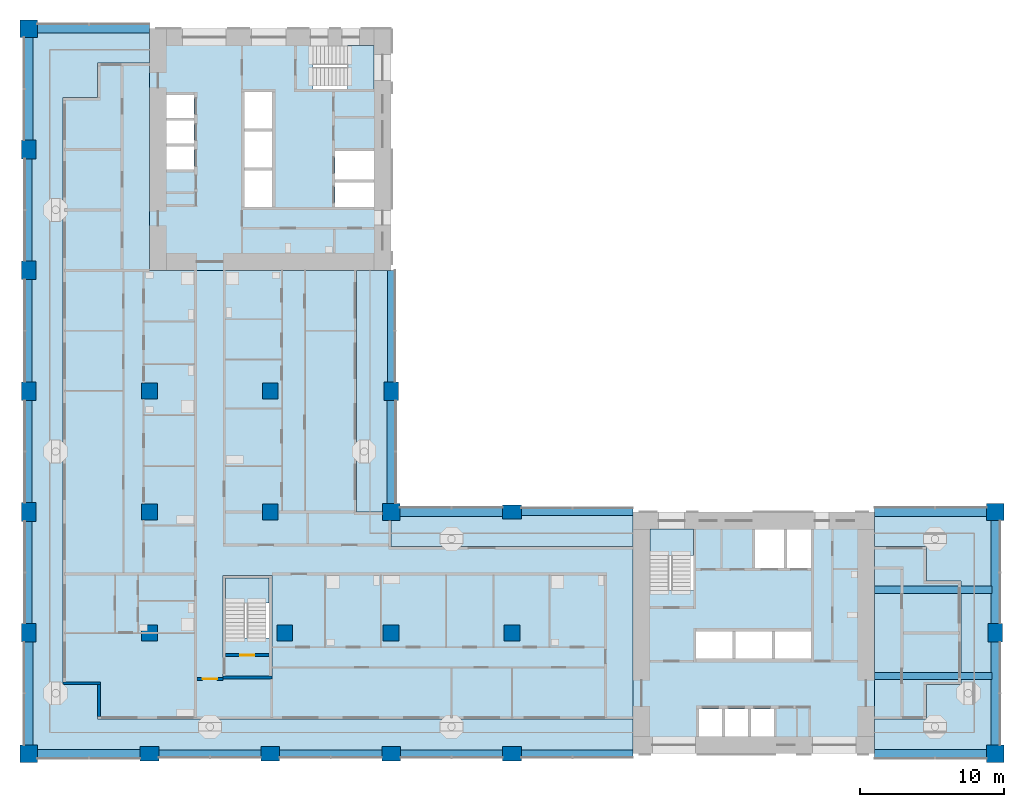
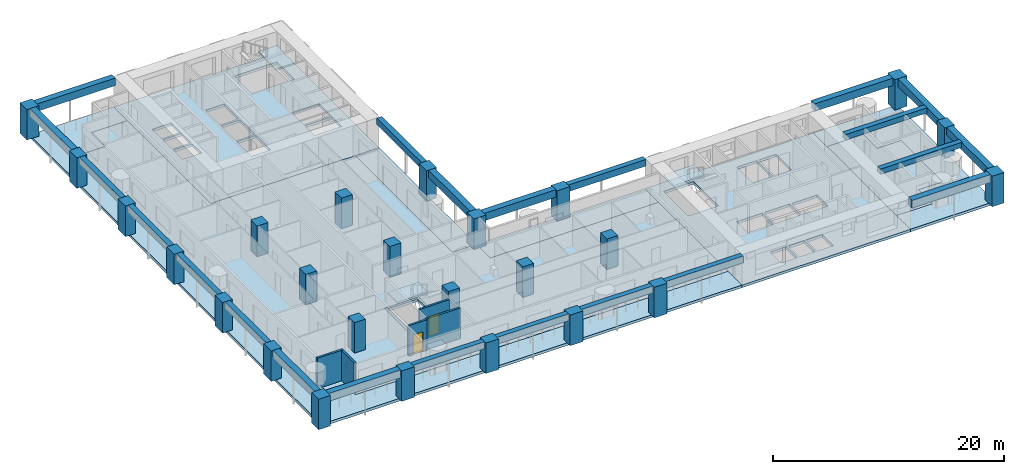
# One storey, part 1 of 18: 25 columns, 22 beams, 12 slabs, 5 walls, 2 doors, 2 openings, 3 elements without a shape of their own.
"""IFC4 building model written with IfcOpenShell, lengths in metres."""

from ifc_helpers import new_model, si_unit, direction, frame, frame_2d, origin, origin_2d, place, context, subcontext, project, spatial, polyline, rectangle, outline, extrude, material, layer, layer_set, material_profile, profile_set, type_object, element, fill, aggregate, save


model = new_model("IFC4")

# Units and contexts
model_context = context("Model", 3, precision=1e-05, world=origin(), true_north=direction((0.0, 1.0)))
body_context = subcontext(model_context, "Body", "Model", "MODEL_VIEW")
ifc_project = project(units=[si_unit("LENGTHUNIT", "METRE"), si_unit("AREAUNIT", "SQUARE_METRE"), si_unit("VOLUMEUNIT", "CUBIC_METRE"), si_unit("PLANEANGLEUNIT", "RADIAN"), si_unit("MASSUNIT", "GRAM", prefix="KILO")], contexts=[model_context])

# Site, building, storey
site_placement = place(None, origin())
site = spatial("IfcSite", under=ifc_project, at=site_placement, CompositionType="ELEMENT")
building_placement = place(site_placement, origin())
building = spatial("IfcBuilding", under=site, at=building_placement, Name="Vermilion Gate Residences", CompositionType="ELEMENT")
storey_placement = place(building_placement, frame((0.0, 0.0, 133.699951171875)))
storey = spatial("IfcBuildingStorey", under=building, at=storey_placement, Name="L34", CompositionType="ELEMENT", Elevation=133.699951171875)

# Columns
ifc_material_1 = material(Name="Concrete C70", Category="concrete")
ifc_material_profile_1 = material_profile(ifc_material_1, rectangle(XDim=1.10009765625, YDim=1.10009765625, at=origin_2d()), Name="RC-1100x1100")
ifc_profile_set_1 = profile_set([ifc_material_profile_1], Name="Concrete C70")
column_type_1 = type_object("IfcColumnType", Name="RC COLUMN 1100 X 1100 C70", PredefinedType="COLUMN", material=ifc_profile_set_1)
for number, where, z_axis, x_axis, name in (
    (1, (8.39990234375, 16.800048828125, 0.0), (0.0, 0.0, 1.0), (1.0, 0.0, 0.0), "Column 2-C L34"),
    (2, (8.39990234375, 25.199951171875, 0.0), (0.0, 0.0, 1.0), (1.0, 0.0, 0.0), "Column 2-D L34"),
    (3, (8.39990234375, 33.60009765625, 0.0), (0.0, 0.0, 1.0), (1.0, 0.0, 0.0), "Column 2-E L34"),
    (4, (17.800048828125, 16.800048828125, 0.0), (0.0, 0.0, 1.0), (1.0, 0.0, 0.0), "Column 3-C L34"),
    (5, (16.800048828125, 25.199951171875, 0.0), (0.0, 0.0, 1.0), (1.0, 0.0, 0.0), "Column 3-D L34"),
    (6, (16.800048828125, 33.60009765625, 0.0), (0.0, 0.0, 1.0), (1.0, 0.0, 0.0), "Column 3-E L34"),
    (7, (25.199951171875, 16.800048828125, 0.0), (0.0, 0.0, 1.0), (1.0, 0.0, 0.0), "Column 4-C L34"),
    (8, (33.60009765625, 16.800048828125, 0.0), (0.0, 0.0, 1.0), (1.0, 0.0, 0.0), "Column 5-C L34"),
):
    element("IfcColumn", number, at=place(storey_placement, frame(where, z_axis=z_axis, x_axis=x_axis)), inside=storey, type_object=column_type_1, Name=name, PredefinedType="COLUMN", context=body_context, shape_type="SweptSolid", body=[
        extrude(rectangle(XDim=1.10009765625, YDim=1.10009765625, at=origin_2d()), origin(), (0.0, 0.0, 1.0), 3.219970703125),
    ])
ifc_material_2 = material(Name="Concrete C70", Category="concrete")
ifc_material_profile_2 = material_profile(ifc_material_2, rectangle(XDim=1.199951171875, YDim=1.199951171875, at=origin_2d()), Name="RC-1200x1200")
ifc_profile_set_2 = profile_set([ifc_material_profile_2], Name="Concrete C70")
column_type_2 = type_object("IfcColumnType", Name="RC COLUMN 1200 X 1200 C70", PredefinedType="COLUMN", material=ifc_profile_set_2)
for number, where, z_axis, x_axis, name in (
    (9, (0.0, 8.39990234375, 0.0), (0.0, 0.0, 1.0), (1.0, 0.0, 0.0), "Column 1-B L34"),
    (10, (0.0, 58.800048828125, 0.0), (0.0, 0.0, 1.0), (1.0, 0.0, 0.0), "Column 1-H L34"),
    (11, (25.199951171875, 25.199951171875, 0.0), (0.0, 0.0, 1.0), (1.0, 0.0, 0.0), "Column 4-D L34"),
    (12, (67.199951171875, 8.39990234375, 0.0), (0.0, 0.0, 1.0), (1.0, 0.0, 0.0), "Column 9-B L34"),
    (13, (67.199951171875, 25.199951171875, 0.0), (0.0, 0.0, 1.0), (1.0, 0.0, 0.0), "Column 9-D L34"),
):
    element("IfcColumn", number, at=place(storey_placement, frame(where, z_axis=z_axis, x_axis=x_axis)), inside=storey, type_object=column_type_2, Name=name, PredefinedType="COLUMN", context=body_context, shape_type="SweptSolid", body=[
        extrude(rectangle(XDim=1.199951171875, YDim=1.199951171875, at=origin_2d()), origin(), (0.0, 0.0, 1.0), 3.219970703125),
    ])
ifc_material_3 = material(Name="Concrete C70", Category="concrete")
ifc_material_profile_3 = material_profile(ifc_material_3, rectangle(XDim=1.300048828125, YDim=1.0, at=origin_2d()), Name="RC-1300x1000")
ifc_profile_set_3 = profile_set([ifc_material_profile_3], Name="Concrete C70")
column_type_3 = type_object("IfcColumnType", Name="RC COLUMN 1300 X 1000 C70", PredefinedType="COLUMN", material=ifc_profile_set_3)
for number, where, z_axis, x_axis, name in (
    (14, (0.0, 16.800048828125, 0.0), (0.0, 0.0, 1.0), (0.0, 1.0, 0.0), "Column 1-C L34"),
    (15, (0.0, 25.199951171875, 0.0), (0.0, 0.0, 1.0), (0.0, 1.0, 0.0), "Column 1-D L34"),
    (16, (0.0, 33.60009765625, 0.0), (0.0, 0.0, 1.0), (0.0, 1.0, 0.0), "Column 1-E L34"),
    (17, (0.0, 42.0, 0.0), (0.0, 0.0, 1.0), (0.0, 1.0, 0.0), "Column 1-F L34"),
    (18, (0.0, 50.39990234375, 0.0), (0.0, 0.0, 1.0), (0.0, 1.0, 0.0), "Column 1-G L34"),
    (19, (8.39990234375, 8.39990234375, 0.0), (0.0, 0.0, 1.0), (1.0, 0.0, 0.0), "Column 2-B L34"),
    (20, (16.800048828125, 8.39990234375, 0.0), (0.0, 0.0, 1.0), (1.0, 0.0, 0.0), "Column 3-B L34"),
    (21, (25.199951171875, 8.39990234375, 0.0), (0.0, 0.0, 1.0), (1.0, 0.0, 0.0), "Column 4-B L34"),
    (22, (25.199951171875, 33.60009765625, 0.0), (0.0, 0.0, 1.0), (0.0, 1.0, 0.0), "Column 4-E L34"),
    (23, (33.60009765625, 8.39990234375, 0.0), (0.0, 0.0, 1.0), (1.0, 0.0, 0.0), "Column 5-B L34"),
    (24, (33.60009765625, 25.199951171875, 0.0), (0.0, 0.0, 1.0), (1.0, 0.0, 0.0), "Column 5-D L34"),
    (25, (67.199951171875, 16.800048828125, 0.0), (0.0, 0.0, 1.0), (0.0, 1.0, 0.0), "Column 9-C L34"),
):
    element("IfcColumn", number, at=place(storey_placement, frame(where, z_axis=z_axis, x_axis=x_axis)), inside=storey, type_object=column_type_3, Name=name, PredefinedType="COLUMN", context=body_context, shape_type="SweptSolid", body=[
        extrude(rectangle(XDim=1.300048828125, YDim=1.0, at=origin_2d()), origin(), (0.0, 0.0, 1.0), 3.219970703125),
    ])

# Beams
ifc_material_4 = material(Name="Concrete C60 red-oxide pigmented", Category="concrete")
ifc_material_profile_4 = material_profile(ifc_material_4, rectangle(XDim=0.60009765625, YDim=0.800048828125, at=origin_2d()), Name="RC-600x800")
ifc_profile_set_4 = profile_set([ifc_material_profile_4], Name="Concrete C60 red-oxide pigmented")
beam_type_1 = type_object("IfcBeamType", Name="RC CORNER EDGE BEAM 600 X 800 C60", PredefinedType="BEAM", material=ifc_profile_set_4)
for number, where, z_axis, x_axis, name in (
    (26, (0.60009765625, 8.39990234375, 2.820068359375), (1.0, 0.0, 0.0), (0.0, 1.0, 0.0), "Corner edge beam L34 1"),
    (27, (0.0, 9.0, 2.820068359375), (0.0, 1.0, 0.0), (-1.0, 0.0, 0.0), "Corner edge beam L34 2"),
):
    element("IfcBeam", number, at=place(storey_placement, frame(where, z_axis=z_axis, x_axis=x_axis)), inside=storey, type_object=beam_type_1, Name=name, PredefinedType="BEAM", context=body_context, shape_type="SweptSolid", body=[
        extrude(rectangle(XDim=0.60009765625, YDim=0.800048828125, at=origin_2d()), origin(), (0.0, 0.0, 1.0), 7.14990234375),
    ])
beam_1_placement = place(storey_placement, frame((0.60009765625, 58.800048828125, 2.820068359375), z_axis=(1.0, 0.0, 0.0), x_axis=(0.0, 1.0, 0.0)))
element("IfcBeam", 28, at=beam_1_placement, inside=storey, type_object=beam_type_1, Name="Corner edge beam L34 7", PredefinedType="BEAM", context=body_context, shape_type="SweptSolid", body=[
    extrude(rectangle(XDim=0.60009765625, YDim=0.800048828125, at=origin_2d()), origin(), (0.0, 0.0, 1.0), 7.7998046875),
])
for number, where, z_axis, x_axis, name in (
    (29, (0.0, 51.050048828125, 2.820068359375), (0.0, 1.0, 0.0), (-1.0, 0.0, 0.0), "Corner edge beam L34 8"),
    (30, (25.199951171875, 25.800048828125, 2.820068359375), (0.0, 1.0, 0.0), (-1.0, 0.0, 0.0), "Corner edge beam L34 11"),
    (31, (25.800048828125, 25.199951171875, 2.820068359375), (1.0, 0.0, 0.0), (0.0, 1.0, 0.0), "Corner edge beam L34 14"),
):
    element("IfcBeam", number, at=place(storey_placement, frame(where, z_axis=z_axis, x_axis=x_axis)), inside=storey, type_object=beam_type_1, Name=name, PredefinedType="BEAM", context=body_context, shape_type="SweptSolid", body=[
        extrude(rectangle(XDim=0.60009765625, YDim=0.800048828125, at=origin_2d()), origin(), (0.0, 0.0, 1.0), 7.14990234375),
    ])
beam_2_placement = place(storey_placement, frame((58.800048828125, 8.39990234375, 2.820068359375), z_axis=(1.0, 0.0, 0.0), x_axis=(0.0, 1.0, 0.0)))
element("IfcBeam", 32, at=beam_2_placement, inside=storey, type_object=beam_type_1, Name="Corner edge beam L34 17", PredefinedType="BEAM", context=body_context, shape_type="SweptSolid", body=[
    extrude(rectangle(XDim=0.60009765625, YDim=0.800048828125, at=origin_2d()), origin(), (0.0, 0.0, 1.0), 7.800048828125),
])
beam_3_placement = place(storey_placement, frame((67.199951171875, 9.0, 2.820068359375), z_axis=(0.0, 1.0, 0.0), x_axis=(-1.0, 0.0, 0.0)))
element("IfcBeam", 33, at=beam_3_placement, inside=storey, type_object=beam_type_1, Name="Corner edge beam L34 18", PredefinedType="BEAM", context=body_context, shape_type="SweptSolid", body=[
    extrude(rectangle(XDim=0.60009765625, YDim=0.800048828125, at=origin_2d()), origin(), (0.0, 0.0, 1.0), 7.14990234375),
])
beam_4_placement = place(storey_placement, frame((67.199951171875, 17.449951171875, 2.820068359375), z_axis=(0.0, 1.0, 0.0), x_axis=(-1.0, 0.0, 0.0)))
element("IfcBeam", 34, at=beam_4_placement, inside=storey, type_object=beam_type_1, Name="Corner edge beam L34 19", PredefinedType="BEAM", context=body_context, shape_type="SweptSolid", body=[
    extrude(rectangle(XDim=0.60009765625, YDim=0.800048828125, at=origin_2d()), origin(), (0.0, 0.0, 1.0), 7.150146484375),
])
beam_5_placement = place(storey_placement, frame((58.800048828125, 25.199951171875, 2.820068359375), z_axis=(1.0, 0.0, 0.0), x_axis=(0.0, 1.0, 0.0)))
element("IfcBeam", 35, at=beam_5_placement, inside=storey, type_object=beam_type_1, Name="Corner edge beam L34 20", PredefinedType="BEAM", context=body_context, shape_type="SweptSolid", body=[
    extrude(rectangle(XDim=0.60009765625, YDim=0.800048828125, at=origin_2d()), origin(), (0.0, 0.0, 1.0), 7.800048828125),
])
ifc_material_5 = material(Name="Concrete C60 red-oxide pigmented", Category="concrete")
ifc_material_profile_5 = material_profile(ifc_material_5, rectangle(XDim=0.5, YDim=0.699951171875, at=origin_2d()), Name="RC-500x700")
ifc_profile_set_5 = profile_set([ifc_material_profile_5], Name="Concrete C60 red-oxide pigmented")
beam_type_2 = type_object("IfcBeamType", Name="RC EDGE BEAM 500 X 700 C60", PredefinedType="BEAM", material=ifc_profile_set_5)
beam_6_placement = place(storey_placement, frame((0.0, 17.449951171875, 2.8701171875), z_axis=(0.0, 1.0, 0.0), x_axis=(-1.0, 0.0, 0.0)))
element("IfcBeam", 36, at=beam_6_placement, inside=storey, type_object=beam_type_2, Name="Edge beam L34 3", PredefinedType="BEAM", context=body_context, shape_type="SweptSolid", body=[
    extrude(rectangle(XDim=0.5, YDim=0.699951171875, at=origin_2d()), origin(), (0.0, 0.0, 1.0), 7.10009765625),
])
beam_7_placement = place(storey_placement, frame((0.0, 25.85009765625, 2.8701171875), z_axis=(0.0, 1.0, 0.0), x_axis=(-1.0, 0.0, 0.0)))
element("IfcBeam", 37, at=beam_7_placement, inside=storey, type_object=beam_type_2, Name="Edge beam L34 4", PredefinedType="BEAM", context=body_context, shape_type="SweptSolid", body=[
    extrude(rectangle(XDim=0.5, YDim=0.699951171875, at=origin_2d()), origin(), (0.0, 0.0, 1.0), 7.099853515625),
])
for number, where, z_axis, x_axis, name in (
    (38, (0.0, 34.25, 2.8701171875), (0.0, 1.0, 0.0), (-1.0, 0.0, 0.0), "Edge beam L34 5"),
    (39, (0.0, 42.64990234375, 2.8701171875), (0.0, 1.0, 0.0), (-1.0, 0.0, 0.0), "Edge beam L34 6"),
):
    element("IfcBeam", number, at=place(storey_placement, frame(where, z_axis=z_axis, x_axis=x_axis)), inside=storey, type_object=beam_type_2, Name=name, PredefinedType="BEAM", context=body_context, shape_type="SweptSolid", body=[
        extrude(rectangle(XDim=0.5, YDim=0.699951171875, at=origin_2d()), origin(), (0.0, 0.0, 1.0), 7.10009765625),
    ])
beam_8_placement = place(storey_placement, frame((9.050048828125, 8.39990234375, 2.8701171875), z_axis=(1.0, 0.0, 0.0), x_axis=(0.0, 1.0, 0.0)))
element("IfcBeam", 40, at=beam_8_placement, inside=storey, type_object=beam_type_2, Name="Edge beam L34 9", PredefinedType="BEAM", context=body_context, shape_type="SweptSolid", body=[
    extrude(rectangle(XDim=0.5, YDim=0.699951171875, at=origin_2d()), origin(), (0.0, 0.0, 1.0), 7.099853515625),
])
beam_9_placement = place(storey_placement, frame((17.449951171875, 8.39990234375, 2.8701171875), z_axis=(1.0, 0.0, 0.0), x_axis=(0.0, 1.0, 0.0)))
element("IfcBeam", 41, at=beam_9_placement, inside=storey, type_object=beam_type_2, Name="Edge beam L34 10", PredefinedType="BEAM", context=body_context, shape_type="SweptSolid", body=[
    extrude(rectangle(XDim=0.5, YDim=0.699951171875, at=origin_2d()), origin(), (0.0, 0.0, 1.0), 7.10009765625),
])
beam_10_placement = place(storey_placement, frame((25.199951171875, 34.25, 2.8701171875), z_axis=(0.0, 1.0, 0.0), x_axis=(-1.0, 0.0, 0.0)))
element("IfcBeam", 42, at=beam_10_placement, inside=storey, type_object=beam_type_2, Name="Edge beam L34 12", PredefinedType="BEAM", context=body_context, shape_type="SweptSolid", body=[
    extrude(rectangle(XDim=0.5, YDim=0.699951171875, at=origin_2d()), origin(), (0.0, 0.0, 1.0), 7.75),
])
beam_11_placement = place(storey_placement, frame((25.85009765625, 8.39990234375, 2.8701171875), z_axis=(1.0, 0.0, 0.0), x_axis=(0.0, 1.0, 0.0)))
element("IfcBeam", 43, at=beam_11_placement, inside=storey, type_object=beam_type_2, Name="Edge beam L34 13", PredefinedType="BEAM", context=body_context, shape_type="SweptSolid", body=[
    extrude(rectangle(XDim=0.5, YDim=0.699951171875, at=origin_2d()), origin(), (0.0, 0.0, 1.0), 7.099853515625),
])
for number, where, z_axis, x_axis, name in (
    (44, (34.25, 8.39990234375, 2.8701171875), (1.0, 0.0, 0.0), (0.0, 1.0, 0.0), "Edge beam L34 15"),
    (45, (34.25, 25.199951171875, 2.8701171875), (1.0, 0.0, 0.0), (0.0, 1.0, 0.0), "Edge beam L34 16"),
):
    element("IfcBeam", number, at=place(storey_placement, frame(where, z_axis=z_axis, x_axis=x_axis)), inside=storey, type_object=beam_type_2, Name=name, PredefinedType="BEAM", context=body_context, shape_type="SweptSolid", body=[
        extrude(rectangle(XDim=0.5, YDim=0.699951171875, at=origin_2d()), origin(), (0.0, 0.0, 1.0), 7.75),
    ])
ifc_material_6 = material(Name="Concrete C60", Category="concrete")
ifc_material_profile_6 = material_profile(ifc_material_6, rectangle(XDim=0.5, YDim=0.550048828125, at=origin_2d()), Name="RC-500x550")
ifc_profile_set_6 = profile_set([ifc_material_profile_6], Name="Concrete C60")
beam_type_3 = type_object("IfcBeamType", Name="RC WING BEAM 500 X 550 C60", PredefinedType="BEAM", material=ifc_profile_set_6)
for number, where, z_axis, x_axis, name in (
    (46, (58.800048828125, 13.800048828125, 2.945068359375), (1.0, 0.0, 0.0), (0.0, 1.0, 0.0), "Wing-end beam L34 1"),
    (47, (58.800048828125, 19.800048828125, 2.945068359375), (1.0, 0.0, 0.0), (0.0, 1.0, 0.0), "Wing-end beam L34 2"),
):
    element("IfcBeam", number, at=place(storey_placement, frame(where, z_axis=z_axis, x_axis=x_axis)), inside=storey, type_object=beam_type_3, Name=name, PredefinedType="BEAM", context=body_context, shape_type="SweptSolid", body=[
        extrude(rectangle(XDim=0.5, YDim=0.550048828125, at=origin_2d()), origin(), (0.0, 0.0, 1.0), 8.14990234375),
    ])

# Slabs
ifc_material_7 = material(Name="Concrete C50", Category="concrete")
ifc_layer_1 = layer(ifc_material_7, 0.280029296875)
ifc_layer_set_1 = layer_set([ifc_layer_1], Name="RC CORE FLOOR SLAB 280 C50")
slab_type_1 = type_object("IfcSlabType", Name="RC CORE FLOOR SLAB 280 C50", PredefinedType="FLOOR", material=ifc_layer_set_1)
slab_1_placement = place(storey_placement, frame((0.0, 0.0, -0.280029296875)))
element("IfcSlab", 48, at=slab_1_placement, inside=storey, type_object=slab_type_1, Name="Core floor slab A34", PredefinedType="FLOOR", context=body_context, shape_type="SweptSolid", body=[
    extrude(outline(polyline([(42.0, 8.39990234375), (58.800048828125, 8.39990234375), (58.800048828125, 25.199951171875), (42.0, 25.199951171875), (42.0, 8.39990234375)]), holes=[polyline([(46.60009765625, 11.5), (48.199951171875, 11.5), (48.199951171875, 9.60009765625), (46.60009765625, 9.60009765625), (46.60009765625, 11.5)]), polyline([(48.39990234375, 11.5), (50.0, 11.5), (50.0, 9.60009765625), (48.39990234375, 9.60009765625), (48.39990234375, 11.5)]), polyline([(50.199951171875, 11.5), (51.800048828125, 11.5), (51.800048828125, 9.60009765625), (50.199951171875, 9.60009765625), (50.199951171875, 11.5)]), polyline([(46.39990234375, 16.89990234375), (48.933349609375, 16.89990234375), (48.933349609375, 15.0), (46.39990234375, 15.0), (46.39990234375, 16.89990234375)]), polyline([(49.13330078125, 16.89990234375), (51.666748046875, 16.89990234375), (51.666748046875, 15.0), (49.13330078125, 15.0), (49.13330078125, 16.89990234375)]), polyline([(51.86669921875, 16.89990234375), (54.39990234375, 16.89990234375), (54.39990234375, 15.0), (51.86669921875, 15.0), (51.86669921875, 16.89990234375)]), polyline([(43.199951171875, 24.0), (46.199951171875, 24.0), (46.199951171875, 19.75), (43.199951171875, 19.75), (43.199951171875, 24.0)]), polyline([(52.5, 24.0), (52.5, 21.300048828125), (50.5, 21.300048828125), (50.5, 24.0), (52.5, 24.0)]), polyline([(54.39990234375, 24.0), (54.39990234375, 21.300048828125), (52.699951171875, 21.300048828125), (52.699951171875, 24.0), (54.39990234375, 24.0)])]), origin(), (0.0, 0.0, 1.0), 0.280029296875),
])
slab_2_placement = place(storey_placement, frame((0.0, 0.0, -0.280029296875)))
element("IfcSlab", 49, at=slab_2_placement, inside=storey, type_object=slab_type_1, Name="Core floor slab B34", PredefinedType="FLOOR", context=body_context, shape_type="SweptSolid", body=[
    extrude(outline(polyline([(8.39990234375, 42.0), (25.199951171875, 42.0), (25.199951171875, 58.800048828125), (8.39990234375, 58.800048828125), (8.39990234375, 42.0)]), holes=[polyline([(21.300048828125, 48.10009765625), (24.0, 48.10009765625), (24.0, 46.39990234375), (21.300048828125, 46.39990234375), (21.300048828125, 48.10009765625)]), polyline([(15.0, 48.933349609375), (16.89990234375, 48.933349609375), (16.89990234375, 46.39990234375), (15.0, 46.39990234375), (15.0, 48.933349609375)]), polyline([(21.300048828125, 50.300048828125), (24.0, 50.300048828125), (24.0, 48.300048828125), (21.300048828125, 48.300048828125), (21.300048828125, 50.300048828125)]), polyline([(9.60009765625, 50.60009765625), (11.5, 50.60009765625), (11.5, 49.0), (9.60009765625, 49.0), (9.60009765625, 50.60009765625)]), polyline([(15.0, 51.666748046875), (16.89990234375, 51.666748046875), (16.89990234375, 49.13330078125), (15.0, 49.13330078125), (15.0, 51.666748046875)]), polyline([(9.60009765625, 52.39990234375), (11.5, 52.39990234375), (11.5, 50.800048828125), (9.60009765625, 50.800048828125), (9.60009765625, 52.39990234375)]), polyline([(15.0, 54.39990234375), (16.89990234375, 54.39990234375), (16.89990234375, 51.86669921875), (15.0, 51.86669921875), (15.0, 54.39990234375)]), polyline([(11.5, 54.199951171875), (11.5, 52.60009765625), (9.60009765625, 52.60009765625), (9.60009765625, 54.199951171875), (11.5, 54.199951171875)]), polyline([(24.0, 57.60009765625), (24.0, 54.60009765625), (19.75, 54.60009765625), (19.75, 57.60009765625), (24.0, 57.60009765625)])]), origin(), (0.0, 0.0, 1.0), 0.280029296875),
])
slab_3_placement = place(storey_placement, frame((0.0, 0.0, -0.280029296875)))
element("IfcSlab", 50, at=slab_3_placement, inside=storey, type_object=slab_type_1, Name="Apex stair floor slab 34", PredefinedType="FLOOR", context=body_context, shape_type="SweptSolid", body=[
    extrude(outline(polyline([(13.5, 13.60009765625), (16.89990234375, 13.60009765625), (16.89990234375, 20.800048828125), (13.5, 20.800048828125), (13.5, 13.60009765625)]), holes=[polyline([(16.699951171875, 20.60009765625), (16.699951171875, 16.449951171875), (13.699951171875, 16.449951171875), (13.699951171875, 20.60009765625), (16.699951171875, 20.60009765625)])]), origin(), (0.0, 0.0, 1.0), 0.280029296875),
])
ifc_material_8 = material(Name="Concrete C50", Category="concrete")
ifc_layer_2 = layer(ifc_material_8, 0.280029296875)
ifc_layer_set_2 = layer_set([ifc_layer_2], Name="RC FLAT PLATE 280 C50")
slab_type_2 = type_object("IfcSlabType", Name="RC FLAT PLATE 280 C50", PredefinedType="FLOOR", material=ifc_layer_set_2)
slab_4_placement = place(storey_placement, frame((0.0, 0.0, -0.280029296875)))
element("IfcSlab", 51, at=slab_4_placement, inside=storey, type_object=slab_type_2, Name="Floor slab L34", PredefinedType="FLOOR", context=body_context, shape_type="SweptSolid", body=[
    extrude(outline(polyline([(22.800048828125, 25.199951171875), (22.800048828125, 42.0), (8.39990234375, 42.0), (8.39990234375, 56.39990234375), (4.800048828125, 56.39990234375), (4.800048828125, 54.0), (2.39990234375, 54.0), (2.39990234375, 13.199951171875), (4.800048828125, 13.199951171875), (4.800048828125, 10.800048828125), (42.0, 10.800048828125), (42.0, 22.800048828125), (25.199951171875, 22.800048828125), (25.199951171875, 25.199951171875), (22.800048828125, 25.199951171875)]), holes=[polyline([(13.5, 13.60009765625), (13.5, 20.800048828125), (16.89990234375, 20.800048828125), (16.89990234375, 13.60009765625), (13.5, 13.60009765625)])]), origin(), (0.0, 0.0, 1.0), 0.280029296875),
])
slab_5_placement = place(storey_placement, frame((0.0, 0.0, -0.280029296875)))
element("IfcSlab", 52, at=slab_5_placement, inside=storey, type_object=slab_type_2, Name="Floor slab L34", PredefinedType="FLOOR", context=body_context, shape_type="SweptSolid", body=[
    extrude(outline(polyline([(58.800048828125, 22.800048828125), (58.800048828125, 10.800048828125), (62.39990234375, 10.800048828125), (62.39990234375, 13.199951171875), (64.800048828125, 13.199951171875), (64.800048828125, 20.39990234375), (62.39990234375, 20.39990234375), (62.39990234375, 22.800048828125), (58.800048828125, 22.800048828125)])), origin(), (0.0, 0.0, 1.0), 0.280029296875),
])
ifc_material_9 = material(Name="Concrete C50 red-oxide pigmented", Category="concrete")
ifc_layer_3 = layer(ifc_material_9, 0.280029296875)
ifc_layer_set_3 = layer_set([ifc_layer_3], Name="RC LOGGIA SLAB 280 C50")
slab_type_3 = type_object("IfcSlabType", Name="RC LOGGIA SLAB 280 C50", PredefinedType="FLOOR", material=ifc_layer_set_3)
slab_6_placement = place(storey_placement, frame((0.0, 0.0, -0.280029296875)))
element("IfcSlab", 53, at=slab_6_placement, inside=storey, type_object=slab_type_3, Name="Loggia slab L34", PredefinedType="FLOOR", context=body_context, shape_type="SweptSolid", body=[
    extrude(outline(polyline([(0.0, 58.800048828125), (0.0, 8.39990234375), (42.0, 8.39990234375), (42.0, 10.800048828125), (4.800048828125, 10.800048828125), (4.800048828125, 13.199951171875), (2.39990234375, 13.199951171875), (2.39990234375, 54.0), (4.800048828125, 54.0), (4.800048828125, 56.39990234375), (8.39990234375, 56.39990234375), (8.39990234375, 58.800048828125), (0.0, 58.800048828125)])), origin(), (0.0, 0.0, 1.0), 0.280029296875),
])
slab_7_placement = place(storey_placement, frame((0.0, 0.0, -0.280029296875)))
element("IfcSlab", 54, at=slab_7_placement, inside=storey, type_object=slab_type_3, Name="Loggia slab L34", PredefinedType="FLOOR", context=body_context, shape_type="SweptSolid", body=[
    extrude(outline(polyline([(64.800048828125, 20.39990234375), (64.800048828125, 13.199951171875), (62.39990234375, 13.199951171875), (62.39990234375, 10.800048828125), (58.800048828125, 10.800048828125), (58.800048828125, 8.39990234375), (67.199951171875, 8.39990234375), (67.199951171875, 25.199951171875), (58.800048828125, 25.199951171875), (58.800048828125, 22.800048828125), (62.39990234375, 22.800048828125), (62.39990234375, 20.39990234375), (64.800048828125, 20.39990234375)])), origin(), (0.0, 0.0, 1.0), 0.280029296875),
])
slab_8_placement = place(storey_placement, frame((0.0, 0.0, -0.280029296875)))
element("IfcSlab", 55, at=slab_8_placement, inside=storey, type_object=slab_type_3, Name="Loggia slab L34", PredefinedType="FLOOR", context=body_context, shape_type="SweptSolid", body=[
    extrude(outline(polyline([(25.199951171875, 22.800048828125), (42.0, 22.800048828125), (42.0, 25.199951171875), (25.199951171875, 25.199951171875), (25.199951171875, 22.800048828125)])), origin(), (0.0, 0.0, 1.0), 0.280029296875),
])
slab_9_placement = place(storey_placement, frame((0.0, 0.0, -0.280029296875)))
element("IfcSlab", 56, at=slab_9_placement, inside=storey, type_object=slab_type_3, Name="Loggia slab L34", PredefinedType="FLOOR", context=body_context, shape_type="SweptSolid", body=[
    extrude(outline(polyline([(25.199951171875, 25.199951171875), (25.199951171875, 42.0), (22.800048828125, 42.0), (22.800048828125, 25.199951171875), (25.199951171875, 25.199951171875)])), origin(), (0.0, 0.0, 1.0), 0.280029296875),
])

# Stair, slab
ifc_material_10 = material(Name="Concrete C50", Category="concrete")
stair_type = type_object("IfcStairType", Name="SPECIAL ESCAPE STAIR 1300", PredefinedType="HALF_TURN_STAIR", material=ifc_material_10)
stair_1_placement = place(storey_placement, origin())
stair_1 = element("IfcStair", 57, at=stair_1_placement, inside=storey, type_object=stair_type, Name="Special escape stair STA1-34", PredefinedType="HALF_TURN_STAIR")
ifc_material_11 = material(Name="Concrete C50", Category="concrete")
ifc_layer_4 = layer(ifc_material_11, 0.199951171875)
ifc_layer_set_4 = layer_set([ifc_layer_4], Name="STAIR LANDING 200 C50")
slab_type_4 = type_object("IfcSlabType", Name="STAIR LANDING 200 C50", PredefinedType="LANDING", material=ifc_layer_set_4)
slab_10_placement = place(storey_placement, frame((0.0, 0.0, 1.550048828125)))
slab_10 = element("IfcSlab", 58, at=slab_10_placement, type_object=slab_type_4, Name="STA1-34 landing 1", PredefinedType="LANDING", context=body_context, shape_type="SweptSolid", body=[
    extrude(outline(polyline([(46.219970703125, 22.179931640625), (46.219970703125, 24.02001953125), (43.179931640625, 24.02001953125), (43.179931640625, 22.179931640625), (46.219970703125, 22.179931640625)])), origin(), (0.0, 0.0, 1.0), 0.199951171875),
])
aggregate(stair_1, [slab_10])

stair_2_placement = place(storey_placement, origin())
stair_2 = element("IfcStair", 59, at=stair_2_placement, inside=storey, type_object=stair_type, Name="Special escape stair STB1-34", PredefinedType="HALF_TURN_STAIR")
slab_11_placement = place(storey_placement, frame((0.0, 0.0, 1.550048828125)))
slab_11 = element("IfcSlab", 60, at=slab_11_placement, type_object=slab_type_4, Name="STB1-34 landing 1", PredefinedType="LANDING", context=body_context, shape_type="SweptSolid", body=[
    extrude(outline(polyline([(24.02001953125, 54.580078125), (24.02001953125, 57.6201171875), (22.179931640625, 57.6201171875), (22.179931640625, 54.580078125), (24.02001953125, 54.580078125)])), origin(), (0.0, 0.0, 1.0), 0.199951171875),
])
aggregate(stair_2, [slab_11])

stair_3_placement = place(storey_placement, origin())
stair_3 = element("IfcStair", 61, at=stair_3_placement, inside=storey, type_object=stair_type, Name="Special escape stair STC1-34", PredefinedType="HALF_TURN_STAIR")
slab_12_placement = place(storey_placement, frame((0.0, 0.0, 1.550048828125)))
slab_12 = element("IfcSlab", 62, at=slab_12_placement, type_object=slab_type_4, Name="STC1-34 landing 1", PredefinedType="LANDING", context=body_context, shape_type="SweptSolid", body=[
    extrude(outline(polyline([(16.719970703125, 18.8798828125), (16.719970703125, 20.6201171875), (13.679931640625, 20.6201171875), (13.679931640625, 18.8798828125), (16.719970703125, 18.8798828125)])), origin(), (0.0, 0.0, 1.0), 0.199951171875),
])
aggregate(stair_3, [slab_12])

# Walls
ifc_material_12 = material(Name="Insulated steel stud wall with terracotta rainscreen", Category="masonry")
ifc_layer_5 = layer(ifc_material_12, 0.199951171875)
ifc_layer_set_5 = layer_set([ifc_layer_5], Name="EXTERNAL WALL 200 TERRACOTTA RAINSCREEN")
wall_type_1 = type_object("IfcWallType", Name="EXTERNAL WALL 200 TERRACOTTA RAINSCREEN", PredefinedType="SOLIDWALL", material=ifc_layer_set_5)
wall_1_placement = place(storey_placement, frame((2.39990234375, 13.300048828125, 0.0), z_axis=(0.0, 0.0, 1.0), x_axis=(1.0, 0.0, 0.0)))
element("IfcWall", 63, at=wall_1_placement, inside=storey, type_object=wall_type_1, Name="External wall", PredefinedType="SOLIDWALL", context=body_context, shape_type="SweptSolid", body=[
    extrude(rectangle(XDim=2.60009765625, YDim=0.199951171875, at=frame_2d((1.300048828125, 0.0))), origin(), (0.0, 0.0, 1.0), 3.219970703125),
])
wall_2_placement = place(storey_placement, frame((4.89990234375, 13.199951171875, 0.0), z_axis=(0.0, 0.0, 1.0), x_axis=(0.0, -1.0, 0.0)))
element("IfcWall", 64, at=wall_2_placement, inside=storey, type_object=wall_type_1, Name="External wall", PredefinedType="SOLIDWALL", context=body_context, shape_type="SweptSolid", body=[
    extrude(rectangle(XDim=2.199951171875, YDim=0.199951171875, at=frame_2d((1.10009765625, 0.0))), origin(), (0.0, 0.0, 1.0), 3.219970703125),
])

# Wall, opening, door
ifc_material_13 = material(Name="Fire-rated plasterboard on steel studs", Category="steel")
ifc_layer_6 = layer(ifc_material_13, 0.199951171875)
ifc_layer_set_6 = layer_set([ifc_layer_6], Name="PARTY WALL 200 EI 120")
wall_type_2 = type_object("IfcWallType", Name="PARTY WALL 200 EI 120", PredefinedType="PARTITIONING", material=ifc_layer_set_6)
wall_3_placement = place(storey_placement, frame((11.699951171875, 13.60009765625, 0.0), z_axis=(0.0, 0.0, 1.0), x_axis=(1.0, 0.0, 0.0)))
wall_3 = element("IfcWall", 65, at=wall_3_placement, inside=storey, type_object=wall_type_2, Name="Party and corridor wall", PredefinedType="PARTITIONING", context=body_context, shape_type="SweptSolid", body=[
    extrude(rectangle(XDim=1.800048828125, YDim=0.199951171875, at=frame_2d((0.89990234375, 0.0))), origin(), (0.0, 0.0, 1.0), 3.219970703125),
])
opening_1_placement = place(wall_3_placement, frame((0.39990234375, 0.0, 0.0)))
opening_1 = element("IfcOpeningElement", 66, at=opening_1_placement, cuts=wall_3, Name="Opening DA34001", PredefinedType="OPENING", context=body_context, shape_type="SweptSolid", body=[
    extrude(rectangle(XDim=1.0, YDim=2.10009765625, at=frame_2d((0.5, 1.050048828125))), frame((0.0, 0.10986328125, 0.0), z_axis=(0.0, -1.0, 0.0), x_axis=(1.0, 0.0, 0.0)), (0.0, 0.0, 1.0), 0.219970703125),
])
ifc_material_14 = material(Name="Steel", Category="steel")
door_type_1 = type_object("IfcDoorType", Name="ENTRANCE DOOR 1000 X 2100 FD30", OperationType="SINGLE_SWING_LEFT", PredefinedType="DOOR", material=ifc_material_14)
door_1_placement = place(opening_1_placement, frame((1.0, 0.0, 0.0), z_axis=(0.0, 0.0, 1.0), x_axis=(-1.0, 0.0, 0.0)))
door_1 = element("IfcDoor", 67, at=door_1_placement, inside=storey, type_object=door_type_1, Name="Entrance door", OperationType="SINGLE_SWING_RIGHT", OverallHeight=2.10009765625, OverallWidth=1.0, PredefinedType="DOOR", context=body_context, shape_type="SweptSolid", body=[
    extrude(rectangle(XDim=1.0, YDim=2.10009765625, at=frame_2d((0.5, 1.050048828125))), frame((0.0, 0.02490234375, 0.0), z_axis=(0.0, -1.0, 0.0), x_axis=(1.0, 0.0, 0.0)), (0.0, 0.0, 1.0), 0.050048828125),
])
fill(opening_1, door_1)

# Wall
ifc_material_15 = material(Name="Concrete C60", Category="concrete")
ifc_layer_7 = layer(ifc_material_15, 0.199951171875)
ifc_layer_set_7 = layer_set([ifc_layer_7], Name="RC CORE INTERNAL WALL 200 C60")
wall_type_3 = type_object("IfcWallType", Name="RC CORE INTERNAL WALL 200 C60", PredefinedType="SHEAR", material=ifc_layer_set_7)
wall_4_placement = place(storey_placement, frame((13.5, 13.699951171875, 0.0), z_axis=(0.0, 0.0, 1.0), x_axis=(1.0, 0.0, 0.0)))
element("IfcWall", 68, at=wall_4_placement, inside=storey, type_object=wall_type_3, Name="Core internal wall C34-S", PredefinedType="SHEAR", context=body_context, shape_type="SweptSolid", body=[
    extrude(rectangle(XDim=3.39990234375, YDim=0.199951171875, at=frame_2d((1.699951171875, 0.0))), origin(), (0.0, 0.0, 1.0), 3.219970703125),
])

# Wall, opening, door
wall_5_placement = place(storey_placement, frame((13.699951171875, 15.25, 0.0), z_axis=(0.0, 0.0, 1.0), x_axis=(1.0, 0.0, 0.0)))
wall_5 = element("IfcWall", 69, at=wall_5_placement, inside=storey, type_object=wall_type_3, Name="Core internal wall C34-P", PredefinedType="SHEAR", context=body_context, shape_type="SweptSolid", body=[
    extrude(rectangle(XDim=3.0, YDim=0.199951171875, at=frame_2d((1.5, 0.0))), origin(), (0.0, 0.0, 1.0), 3.219970703125),
])
opening_2_placement = place(wall_5_placement, frame((1.0, 0.0, 0.0)))
opening_2 = element("IfcOpeningElement", 70, at=opening_2_placement, cuts=wall_5, Name="Opening DK34202", PredefinedType="OPENING", context=body_context, shape_type="SweptSolid", body=[
    extrude(rectangle(XDim=1.0, YDim=2.10009765625, at=frame_2d((0.5, 1.050048828125))), frame((0.0, 0.10986328125, 0.0), z_axis=(0.0, -1.0, 0.0), x_axis=(1.0, 0.0, 0.0)), (0.0, 0.0, 1.0), 0.219970703125),
])
ifc_material_16 = material(Name="Steel", Category="steel")
door_type_2 = type_object("IfcDoorType", Name="FIRE DOOR FD60 1000 X 2100", OperationType="SINGLE_SWING_LEFT", PredefinedType="DOOR", material=ifc_material_16)
door_2_placement = place(opening_2_placement, origin())
door_2 = element("IfcDoor", 71, at=door_2_placement, inside=storey, type_object=door_type_2, Name="Stair door C34", OperationType="SINGLE_SWING_LEFT", OverallHeight=2.10009765625, OverallWidth=1.0, PredefinedType="DOOR", context=body_context, shape_type="SweptSolid", body=[
    extrude(rectangle(XDim=1.0, YDim=2.10009765625, at=frame_2d((0.5, 1.050048828125))), frame((0.0, 0.02490234375, 0.0), z_axis=(0.0, -1.0, 0.0), x_axis=(1.0, 0.0, 0.0)), (0.0, 0.0, 1.0), 0.050048828125),
])
fill(opening_2, door_2)

save(model, "model.ifc")
